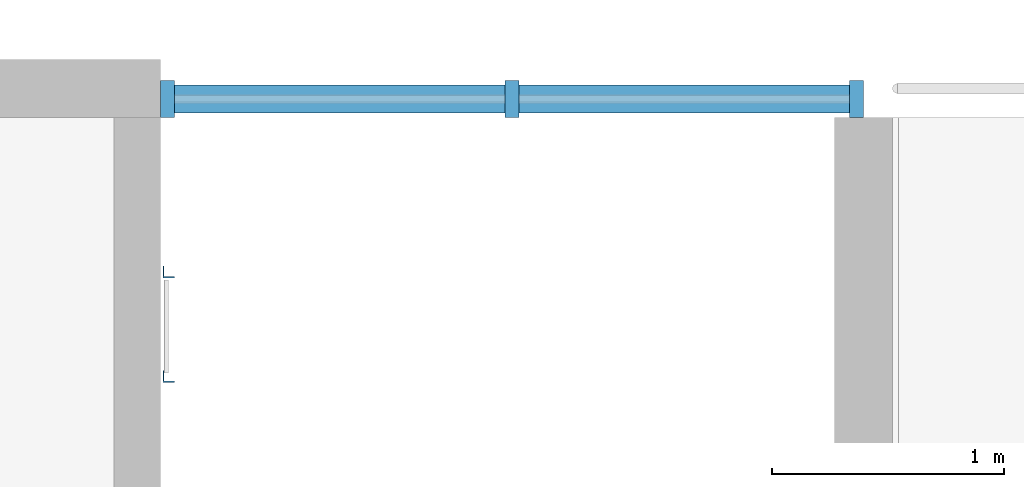
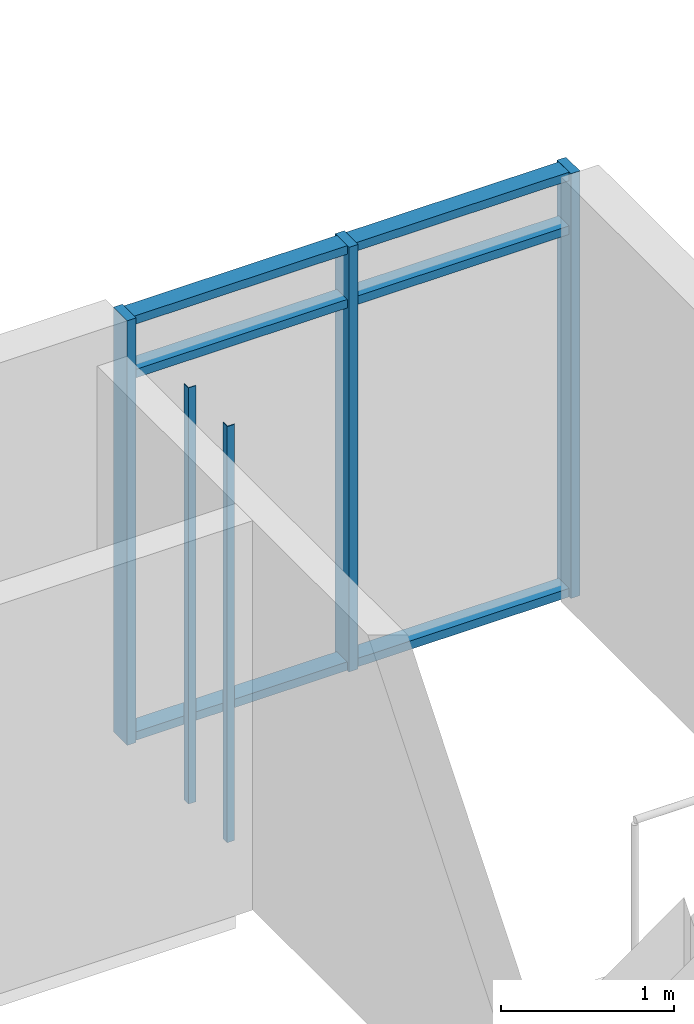
# One storey, part 24 of 87: 11 members, 1 element without a shape of its own.
"""IFC4 building model written with IfcOpenShell, lengths in metres."""

import ifcopenshell
import ifcopenshell.guid

model = None  # the IFC model being written
_history = None  # IfcOwnerHistory: only IFC2X3 demands one
_inside = {}  # id of a spatial element -> (the spatial element, [elements in it])
_under = {}  # id of a project, library or spatial element -> (it, [spatial elements below it])
_declared = {}  # id of a project -> (the project, [libraries it declares])
_typed = {}  # id of a type object -> (the type object, [elements of that type])
_made_of = {}  # id of a material, layer set ... -> (it, [elements and type objects made of it])


def new_model(schema):
    """Start an empty IFC model of exactly this schema.

    Asked for "IFC4X3", IfcOpenShell would pick the latest addendum, in which some entities
    have other attributes; the version numbers below select the first issue.
    IFC2X3 requires an IfcOwnerHistory on every rooted entity: one is made here for all.
    """
    global model, _history
    if schema == "IFC4X3":
        model = ifcopenshell.file(schema_version=(4, 3, 0, 0))
    else:
        model = ifcopenshell.file(schema=schema)
    _inside.clear()
    _under.clear()
    _declared.clear()
    _typed.clear()
    _made_of.clear()
    _history = None
    if model.schema == "IFC2X3":
        org = make("IfcOrganization", Name="unknown")
        user = make(
            "IfcPersonAndOrganization",
            ThePerson=make("IfcPerson", FamilyName="unknown"),
            TheOrganization=org,
        )
        app = make(
            "IfcApplication",
            ApplicationDeveloper=org,
            Version="unknown",
            ApplicationFullName="unknown",
            ApplicationIdentifier="unknown",
        )
        _history = make(
            "IfcOwnerHistory",
            OwningUser=user,
            OwningApplication=app,
            ChangeAction="ADDED",
            CreationDate=0,
        )
    return model


def make(cls, **values):
    """One entity of the class cls with the attributes given. An attribute that is None is left unset."""
    return model.create_entity(
        cls, **{name: value for name, value in values.items() if value is not None}
    )


def rooted(cls, **values):
    """An entity with a GlobalId (a new one), such as an element, a storey or a relation."""
    return make(cls, GlobalId=ifcopenshell.guid.new(), OwnerHistory=_history, **values)


def si_unit(unit_type, name, prefix=None):
    """IfcSIUnit, for example si_unit("LENGTHUNIT", "METRE", prefix="MILLI")."""
    return make("IfcSIUnit", UnitType=unit_type, Prefix=prefix, Name=name)


def assignment(units):
    """IfcUnitAssignment: the units of a project."""
    return None if units is None else make("IfcUnitAssignment", Units=units)


def point(xyz):
    """IfcCartesianPoint."""
    return None if xyz is None else make("IfcCartesianPoint", Coordinates=xyz)


def direction(xyz):
    """IfcDirection."""
    return None if xyz is None else make("IfcDirection", DirectionRatios=xyz)


def frame(location, z_axis=None, x_axis=None):
    """IfcAxis2Placement3D, a coordinate frame: its origin and axes. An axis left out is left unset."""
    return make(
        "IfcAxis2Placement3D",
        Location=point(location),
        Axis=direction(z_axis),
        RefDirection=direction(x_axis),
    )


def frame_2d(location, x_axis=None):
    """IfcAxis2Placement2D, a coordinate frame in the plane: its origin and x axis."""
    return make(
        "IfcAxis2Placement2D", Location=point(location), RefDirection=direction(x_axis)
    )


def origin():
    """The frame at (0, 0, 0) with its axes left unset."""
    return frame((0.0, 0.0, 0.0))


def origin_2d():
    """The frame at (0, 0) in the plane with its x axis left unset."""
    return frame_2d((0.0, 0.0))


def place(relative_to, where):
    """IfcLocalPlacement: puts the frame where relative to a parent placement (None: the world)."""
    return make(
        "IfcLocalPlacement", PlacementRelTo=relative_to, RelativePlacement=where
    )


def context(
    kind, dimensions, precision=None, world=None, true_north=None, identifier=None
):
    """IfcGeometricRepresentationContext, for example the 3D "Model" context."""
    return make(
        "IfcGeometricRepresentationContext",
        ContextIdentifier=identifier,
        ContextType=kind,
        CoordinateSpaceDimension=dimensions,
        Precision=precision,
        WorldCoordinateSystem=world,
        TrueNorth=true_north,
    )


def subcontext(parent, identifier, kind, view, scale=None):
    """IfcGeometricRepresentationSubContext, for example "Body" below "Model"."""
    return make(
        "IfcGeometricRepresentationSubContext",
        ContextIdentifier=identifier,
        ContextType=kind,
        ParentContext=parent,
        TargetScale=scale,
        TargetView=view,
    )


def project(units=None, contexts=None):
    """IfcProject with its units and contexts."""
    return rooted(
        "IfcProject",
        Name="project",
        RepresentationContexts=contexts,
        UnitsInContext=assignment(units),
    )


def spatial(cls, under=None, at=None, **own):
    """A site, building, storey or space (cls), placed at a placement, below another one or the project."""
    s = rooted(cls, ObjectPlacement=at, **own)
    if under is not None:
        _under.setdefault(under.id(), (under, []))[1].append(s)
    return s


def polyline(points):
    """IfcPolyline through the points."""
    return make("IfcPolyline", Points=[point(p) for p in points])


def profile(cls, at=None, kind="AREA", **sizes):
    """A parametric profile (cls). Its sizes go by their IFC names, for example OverallWidth=200.0."""
    return make(cls, ProfileType=kind, Position=at, **sizes)


def rectangle(**sizes):
    """IfcRectangleProfileDef."""
    return profile("IfcRectangleProfileDef", **sizes)


def outline(outer, holes=None, kind="AREA"):
    """IfcArbitraryClosedProfileDef: a profile drawn as a closed curve; with holes, ...WithVoids."""
    if holes is None:
        return make("IfcArbitraryClosedProfileDef", ProfileType=kind, OuterCurve=outer)
    return make(
        "IfcArbitraryProfileDefWithVoids",
        ProfileType=kind,
        OuterCurve=outer,
        InnerCurves=holes,
    )


def extrude(swept, where, along, depth):
    """IfcExtrudedAreaSolid: the profile swept, set in the frame where, extruded along a direction by depth."""
    return make(
        "IfcExtrudedAreaSolid",
        SweptArea=swept,
        Position=where,
        ExtrudedDirection=direction(along),
        Depth=depth,
    )


def shape(context_of_items, identifier, shape_type, items):
    """IfcShapeRepresentation: the items that make up one representation, for example the "Body"."""
    return make(
        "IfcShapeRepresentation",
        ContextOfItems=context_of_items,
        RepresentationIdentifier=identifier,
        RepresentationType=shape_type,
        Items=items,
    )


def material(Name=None, Category=None):
    """IfcMaterial."""
    return make("IfcMaterial", Name=Name, Category=Category)


def material_profile(
    of_material, cross_section, Name=None, Category=None, Priority=None
):
    """IfcMaterialProfile: a cross section and its material."""
    return make(
        "IfcMaterialProfile",
        Name=Name,
        Material=of_material,
        Profile=cross_section,
        Priority=Priority,
        Category=Category,
    )


def profile_set(profiles, Name=None, composite=None):
    """IfcMaterialProfileSet."""
    return make(
        "IfcMaterialProfileSet",
        Name=Name,
        MaterialProfiles=profiles,
        CompositeProfile=composite,
    )


def made_of(thing, what):
    """Note that an element or type object is made of a material, layer set ...; save() writes the relation."""
    if what is not None:
        _made_of.setdefault(what.id(), (what, []))[1].append(thing)
    return thing


def type_object(cls, material=None, **own):
    """A type object (cls), such as IfcWallType, which elements share."""
    return made_of(rooted(cls, **own), material)


def element(
    cls,
    number,
    at=None,
    inside=None,
    cuts=None,
    type_object=None,
    material=None,
    context=None,
    identifier="Body",
    shape_type=None,
    held_by="IfcProductDefinitionShape",
    body=None,
    shapes=None,
    **own,
):
    """One element of the class cls, such as IfcWall. Its Tag is "e" and its number.

    at: its placement. inside: the storey or other place that contains it. cuts: it is an
    opening in that element (IfcRelVoidsElement). A single representation is given by context,
    identifier, shape_type and body (its items); several are given by shapes. held_by: the class
    of the entity that holds the representations. save() writes the other relations.
    """
    e = rooted(cls, Tag="e%d" % number, ObjectPlacement=at, **own)
    if body is not None:
        shapes = [shape(context, identifier, shape_type, body)]
    if shapes is not None:
        e.Representation = make(held_by, Representations=shapes)
    if inside is not None:
        _inside.setdefault(inside.id(), (inside, []))[1].append(e)
    if cuts is not None:
        rooted(
            "IfcRelVoidsElement", RelatingBuildingElement=cuts, RelatedOpeningElement=e
        )
    if type_object is not None:
        _typed.setdefault(type_object.id(), (type_object, []))[1].append(e)
    return made_of(e, material)


def aggregate(whole, parts):
    """IfcRelAggregates: a whole, such as a stair, and the parts it consists of."""
    return rooted("IfcRelAggregates", RelatingObject=whole, RelatedObjects=parts)


def save(model, path):
    """Write the relations noted so far, then the file.

    IfcRelAggregates (storeys below a building ...), IfcRelContainedInSpatialStructure (elements
    in a storey), IfcRelDefinesByType, IfcRelAssociatesMaterial and IfcRelDeclares: one each for
    every whole, place, type object, material and project.
    """
    for whole, parts in _under.values():
        aggregate(whole, parts)
    for where, things in _inside.values():
        rooted(
            "IfcRelContainedInSpatialStructure",
            RelatedElements=things,
            RelatingStructure=where,
        )
    for kind, things in _typed.values():
        rooted("IfcRelDefinesByType", RelatedObjects=things, RelatingType=kind)
    for what, things in _made_of.values():
        rooted("IfcRelAssociatesMaterial", RelatedObjects=things, RelatingMaterial=what)
    for by, libraries in _declared.values():
        rooted("IfcRelDeclares", RelatingContext=by, RelatedDefinitions=libraries)
    model.write(path)


model = new_model("IFC4")

# Units and contexts
model_context = context("Model", 3, precision=1e-05, world=origin(), true_north=direction((0.0, 1.0)))
body_context = subcontext(model_context, "Body", "Model", "MODEL_VIEW")
ifc_project = project(units=[si_unit("LENGTHUNIT", "METRE"), si_unit("AREAUNIT", "SQUARE_METRE"), si_unit("VOLUMEUNIT", "CUBIC_METRE"), si_unit("PLANEANGLEUNIT", "RADIAN"), si_unit("MASSUNIT", "GRAM", prefix="KILO")], contexts=[model_context])

# Site, building, storey
site_placement = place(None, origin())
site = spatial("IfcSite", under=ifc_project, at=site_placement, CompositionType="ELEMENT")
building_placement = place(site_placement, origin())
building = spatial("IfcBuilding", under=site, at=building_placement, Name="Ridgestep Commons", CompositionType="ELEMENT")
storey_placement = place(building_placement, frame((0.0, 0.0, 27.0)))
storey = spatial("IfcBuildingStorey", under=building, at=storey_placement, Name="L09", CompositionType="ELEMENT", Elevation=27.0)

# Members
ifc_material_1 = material(Name="Structural steel S355JR", Category="steel")
ifc_material_profile_1 = material_profile(ifc_material_1, outline(polyline([(-0.014404296875, -0.014404296875), (0.03564453125, -0.014404296875), (0.03564453125, -0.00927734375), (-0.00927734375, -0.00927734375), (-0.00927734375, 0.03564453125), (-0.014404296875, 0.03564453125), (-0.014404296875, -0.014404296875)])), Name="EA 50x50x5")
ifc_profile_set_1 = profile_set([ifc_material_profile_1], Name="Structural steel S355JR")
member_type_1 = type_object("IfcMemberType", Name="Core ladder stile EA 50x50x5", PredefinedType="STRINGER", material=ifc_profile_set_1)
for number, where, z_axis, x_axis, name in (
    (1, (200.199951171875, 75.875, 0.0), (0.0, 0.0, 1.0), (1.0, 0.0, 0.0), "Ladder stile C4C.1"),
    (2, (200.199951171875, 76.324951171875, 0.0), (0.0, 0.0, 1.0), (1.0, 0.0, 0.0), "Ladder stile C4C.2"),
):
    element("IfcMember", number, at=place(storey_placement, frame(where, z_axis=z_axis, x_axis=x_axis)), inside=storey, type_object=member_type_1, Name=name, PredefinedType="STRINGER", context=body_context, shape_type="SweptSolid", body=[
        extrude(outline(polyline([(-0.014404296875, -0.014404296875), (0.03564453125, -0.014404296875), (0.03564453125, -0.00927734375), (-0.00927734375, -0.00927734375), (-0.00927734375, 0.03564453125), (-0.014404296875, 0.03564453125), (-0.014404296875, -0.014404296875)])), origin(), (0.0, 0.0, 1.0), 2.93994140625),
    ])

# Curtain wall, members
ifc_material_2 = material(Name="Aluminium 6063-T6 and glass", Category="aluminium")
curtain_wall_type = type_object("IfcCurtainWallType", Name="Curtain wall stair strip", PredefinedType="NOTDEFINED", material=ifc_material_2)
curtain_wall_placement = place(storey_placement, origin())
curtain_wall = element("IfcCurtainWall", 3, at=curtain_wall_placement, inside=storey, type_object=curtain_wall_type, Name="Curtain wall C4C level 09", PredefinedType="NOTDEFINED")
ifc_material_3 = material(Name="Aluminium 6063-T6", Category="aluminium")
ifc_material_profile_2 = material_profile(ifc_material_3, rectangle(XDim=0.159912109375, YDim=0.06005859375, at=origin_2d()), Name="Mullion 60 x 160")
ifc_profile_set_2 = profile_set([ifc_material_profile_2], Name="Aluminium 6063-T6")
member_type_2 = type_object("IfcMemberType", Name="Mullion 60 x 160", PredefinedType="MULLION", material=ifc_profile_set_2)
member_1_placement = place(storey_placement, frame((200.205078125, 77.080078125, 0.0), z_axis=(0.0, 0.0, 1.0), x_axis=(0.0, 1.0, 0.0)))
member_1 = element("IfcMember", 4, at=member_1_placement, type_object=member_type_2, Name="CW1 mullion 1", PredefinedType="MULLION", context=body_context, shape_type="SweptSolid", body=[
    extrude(rectangle(XDim=0.159912109375, YDim=0.06005859375, at=origin_2d()), origin(), (0.0, 0.0, 1.0), 3.0),
])
member_2_placement = place(storey_placement, frame((201.6875, 77.080078125, 0.0), z_axis=(0.0, 0.0, 1.0), x_axis=(0.0, 1.0, 0.0)))
member_2 = element("IfcMember", 5, at=member_2_placement, type_object=member_type_2, Name="CW1 mullion 2", PredefinedType="MULLION", context=body_context, shape_type="SweptSolid", body=[
    extrude(rectangle(XDim=0.159912109375, YDim=0.06005859375, at=origin_2d()), origin(), (0.0, 0.0, 1.0), 3.0),
])
member_3_placement = place(storey_placement, frame((203.169921875, 77.080078125, 0.0), z_axis=(0.0, 0.0, 1.0), x_axis=(0.0, 1.0, 0.0)))
member_3 = element("IfcMember", 6, at=member_3_placement, type_object=member_type_2, Name="CW1 mullion 3", PredefinedType="MULLION", context=body_context, shape_type="SweptSolid", body=[
    extrude(rectangle(XDim=0.159912109375, YDim=0.06005859375, at=origin_2d()), origin(), (0.0, 0.0, 1.0), 3.0),
])
ifc_material_4 = material(Name="Aluminium 6063-T6", Category="aluminium")
ifc_material_profile_3 = material_profile(ifc_material_4, rectangle(XDim=0.1201171875, YDim=0.06005859375, at=origin_2d()), Name="Transom 60 x 120")
ifc_profile_set_3 = profile_set([ifc_material_profile_3], Name="Aluminium 6063-T6")
member_type_3 = type_object("IfcMemberType", Name="Transom 60 x 120", PredefinedType="USERDEFINED", material=ifc_profile_set_3)
member_4_placement = place(storey_placement, frame((200.235107421875, 77.080078125, 0.030029296875), z_axis=(1.0, 0.0, 0.0), x_axis=(0.0, 1.0, 0.0)))
member_4 = element("IfcMember", 7, at=member_4_placement, type_object=member_type_3, Name="CW1 transom 1.1", ObjectType="TRANSOM", PredefinedType="USERDEFINED", context=body_context, shape_type="SweptSolid", body=[
    extrude(rectangle(XDim=0.1201171875, YDim=0.06005859375, at=origin_2d()), origin(), (0.0, 0.0, 1.0), 1.42236328125),
])
member_5_placement = place(storey_placement, frame((200.235107421875, 77.080078125, 2.590087890625), z_axis=(1.0, 0.0, 0.0), x_axis=(0.0, 1.0, 0.0)))
member_5 = element("IfcMember", 8, at=member_5_placement, type_object=member_type_3, Name="CW1 transom 1.2", ObjectType="TRANSOM", PredefinedType="USERDEFINED", context=body_context, shape_type="SweptSolid", body=[
    extrude(rectangle(XDim=0.1201171875, YDim=0.06005859375, at=origin_2d()), origin(), (0.0, 0.0, 1.0), 1.42236328125),
])
member_6_placement = place(storey_placement, frame((200.235107421875, 77.080078125, 2.969970703125), z_axis=(1.0, 0.0, 0.0), x_axis=(0.0, 1.0, 0.0)))
member_6 = element("IfcMember", 9, at=member_6_placement, type_object=member_type_3, Name="CW1 transom 1.3", ObjectType="TRANSOM", PredefinedType="USERDEFINED", context=body_context, shape_type="SweptSolid", body=[
    extrude(rectangle(XDim=0.1201171875, YDim=0.06005859375, at=origin_2d()), origin(), (0.0, 0.0, 1.0), 1.42236328125),
])
member_7_placement = place(storey_placement, frame((201.717529296875, 77.080078125, 0.030029296875), z_axis=(1.0, 0.0, 0.0), x_axis=(0.0, 1.0, 0.0)))
member_7 = element("IfcMember", 10, at=member_7_placement, type_object=member_type_3, Name="CW1 transom 2.1", ObjectType="TRANSOM", PredefinedType="USERDEFINED", context=body_context, shape_type="SweptSolid", body=[
    extrude(rectangle(XDim=0.1201171875, YDim=0.06005859375, at=origin_2d()), origin(), (0.0, 0.0, 1.0), 1.42236328125),
])
member_8_placement = place(storey_placement, frame((201.717529296875, 77.080078125, 2.590087890625), z_axis=(1.0, 0.0, 0.0), x_axis=(0.0, 1.0, 0.0)))
member_8 = element("IfcMember", 11, at=member_8_placement, type_object=member_type_3, Name="CW1 transom 2.2", ObjectType="TRANSOM", PredefinedType="USERDEFINED", context=body_context, shape_type="SweptSolid", body=[
    extrude(rectangle(XDim=0.1201171875, YDim=0.06005859375, at=origin_2d()), origin(), (0.0, 0.0, 1.0), 1.42236328125),
])
member_9_placement = place(storey_placement, frame((201.717529296875, 77.080078125, 2.969970703125), z_axis=(1.0, 0.0, 0.0), x_axis=(0.0, 1.0, 0.0)))
member_9 = element("IfcMember", 12, at=member_9_placement, type_object=member_type_3, Name="CW1 transom 2.3", ObjectType="TRANSOM", PredefinedType="USERDEFINED", context=body_context, shape_type="SweptSolid", body=[
    extrude(rectangle(XDim=0.1201171875, YDim=0.06005859375, at=origin_2d()), origin(), (0.0, 0.0, 1.0), 1.42236328125),
])
aggregate(curtain_wall, [member_1, member_2, member_3, member_4, member_5, member_6, member_7, member_8, member_9])

save(model, "model.ifc")
